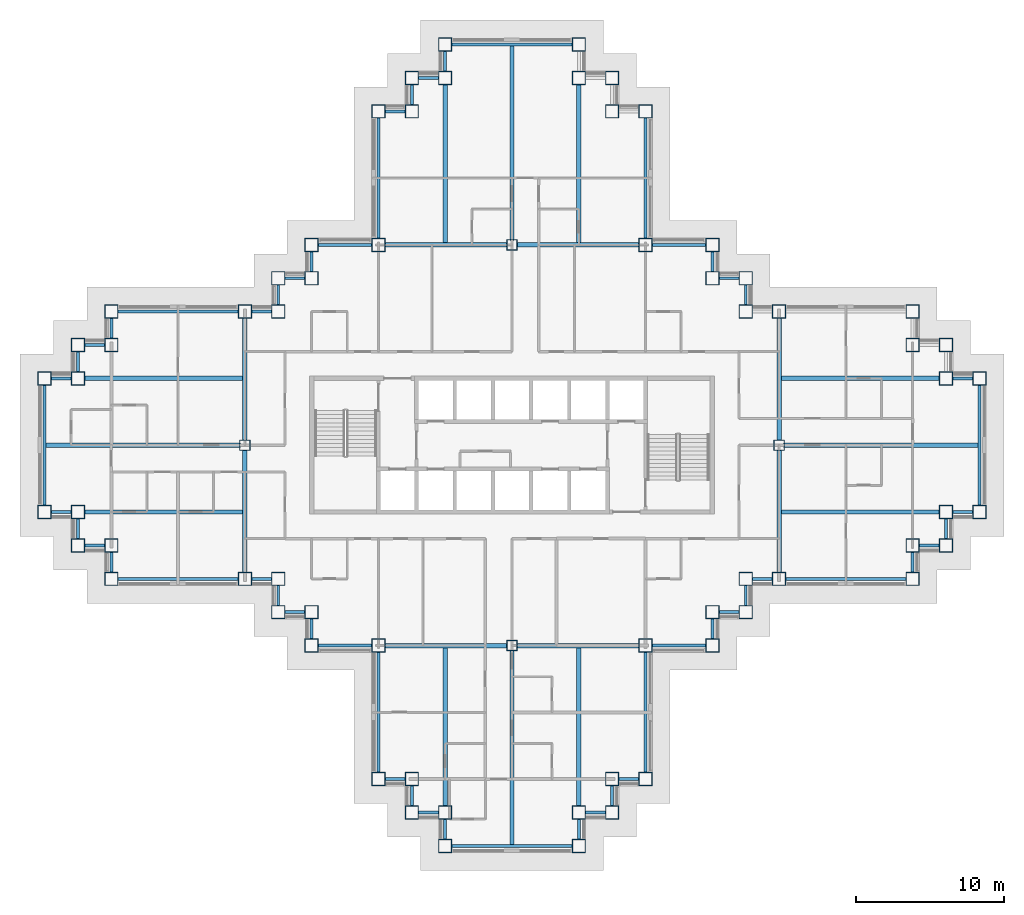
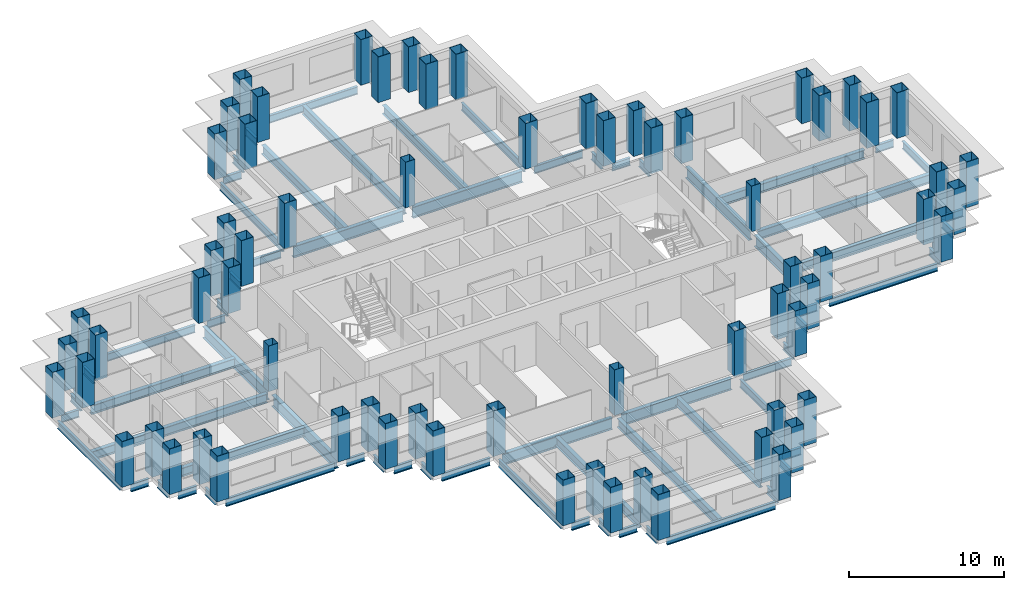
# One storey, part 1 of 15: 75 beams, 68 columns.
"""IFC4 building model written with IfcOpenShell, lengths in metres."""

from ifc_helpers import new_model, si_unit, direction, frame, origin, origin_2d, place, context, subcontext, project, spatial, hollow_rectangle, i_section, extrude, material, material_profile, profile_set, type_object, element, save


model = new_model("IFC4")

# Units and contexts
model_context = context("Model", 3, precision=1e-05, world=origin(), true_north=direction((0.0, 1.0)))
body_context = subcontext(model_context, "Body", "Model", "MODEL_VIEW")
ifc_project = project(units=[si_unit("LENGTHUNIT", "METRE"), si_unit("AREAUNIT", "SQUARE_METRE"), si_unit("VOLUMEUNIT", "CUBIC_METRE"), si_unit("PLANEANGLEUNIT", "RADIAN"), si_unit("MASSUNIT", "GRAM", prefix="KILO")], contexts=[model_context])

# Site, building, storey
site_placement = place(None, origin())
site = spatial("IfcSite", under=ifc_project, at=site_placement, CompositionType="ELEMENT")
building_placement = place(site_placement, origin())
building = spatial("IfcBuilding", under=site, at=building_placement, Name="Caravel Reach Hotel and Residences", CompositionType="ELEMENT")
storey_placement = place(building_placement, frame((0.0, 0.0, 108.0)))
storey = spatial("IfcBuildingStorey", under=building, at=storey_placement, Name="L26", CompositionType="ELEMENT", Elevation=108.0)

# Columns
ifc_material_1 = material(Name="Concrete-filled steel tube Q390B with Concrete C70 infill", Category="concrete")
ifc_material_profile_1 = material_profile(ifc_material_1, hollow_rectangle(XDim=0.699951171875, YDim=0.699951171875, WallThickness=0.02197265625, at=origin_2d()), Name="RHS 700x700x22")
ifc_profile_set_1 = profile_set([ifc_material_profile_1], Name="Concrete-filled steel tube Q390B with Concrete C70 infill")
column_type_1 = type_object("IfcColumnType", Name="CFT 700x700 Q390B C70", PredefinedType="COLUMN", material=ifc_profile_set_1)
for number, where, z_axis, x_axis, name in (
    (1, (31.5, 40.5, 0.0), (0.0, 0.0, 1.0), (1.0, 0.0, 0.0), "C6 column"),
    (2, (31.5, 13.5, 0.0), (0.0, 0.0, 1.0), (1.0, 0.0, 0.0), "C6 column"),
    (3, (13.5, 27.0, 0.0), (0.0, 0.0, 1.0), (1.0, 0.0, 0.0), "C6 column"),
    (4, (49.5, 27.0, 0.0), (0.0, 0.0, 1.0), (1.0, 0.0, 0.0), "C6 column"),
):
    element("IfcColumn", number, at=place(storey_placement, frame(where, z_axis=z_axis, x_axis=x_axis)), inside=storey, type_object=column_type_1, Name=name, PredefinedType="COLUMN", context=body_context, shape_type="SweptSolid", body=[
        extrude(hollow_rectangle(XDim=0.699951171875, YDim=0.699951171875, WallThickness=0.02197265625, at=origin_2d()), origin(), (0.0, 0.0, 1.0), 3.60009765625),
    ])
ifc_material_2 = material(Name="Concrete-filled steel tube Q390B with Concrete C70 infill", Category="concrete")
ifc_material_profile_2 = material_profile(ifc_material_2, hollow_rectangle(XDim=0.89990234375, YDim=0.89990234375, WallThickness=0.028076171875, at=origin_2d()), Name="RHS 900x900x28")
ifc_profile_set_2 = profile_set([ifc_material_profile_2], Name="Concrete-filled steel tube Q390B with Concrete C70 infill")
column_type_2 = type_object("IfcColumnType", Name="CFT 900x900 Q390B C70", PredefinedType="COLUMN", material=ifc_profile_set_2)
for number, where, z_axis, x_axis, name in (
    (5, (22.5, 4.5, 0.0), (0.0, 0.0, 1.0), (1.0, 0.0, 0.0), "C3 column"),
    (6, (24.75, 4.5, 0.0), (0.0, 0.0, 1.0), (1.0, 0.0, 0.0), "C3 column"),
    (7, (24.75, 2.25, 0.0), (0.0, 0.0, 1.0), (1.0, 0.0, 0.0), "C3 column"),
    (8, (27.0, 2.25, 0.0), (0.0, 0.0, 1.0), (1.0, 0.0, 0.0), "C3 column"),
    (9, (27.0, 0.0, 0.0), (0.0, 0.0, 1.0), (1.0, 0.0, 0.0), "C3 column"),
    (10, (36.0, 0.0, 0.0), (0.0, 0.0, 1.0), (1.0, 0.0, 0.0), "C3 column"),
    (11, (36.0, 2.25, 0.0), (0.0, 0.0, 1.0), (1.0, 0.0, 0.0), "C3 column"),
    (12, (38.25, 2.25, 0.0), (0.0, 0.0, 1.0), (1.0, 0.0, 0.0), "C3 column"),
    (13, (38.25, 4.5, 0.0), (0.0, 0.0, 1.0), (1.0, 0.0, 0.0), "C3 column"),
    (14, (40.5, 4.5, 0.0), (0.0, 0.0, 1.0), (1.0, 0.0, 0.0), "C3 column"),
    (15, (40.5, 13.5, 0.0), (0.0, 0.0, 1.0), (1.0, 0.0, 0.0), "C3 column"),
    (16, (45.0, 13.5, 0.0), (0.0, 0.0, 1.0), (1.0, 0.0, 0.0), "C3 column"),
    (17, (45.0, 15.75, 0.0), (0.0, 0.0, 1.0), (1.0, 0.0, 0.0), "C3 column"),
    (18, (47.25, 15.75, 0.0), (0.0, 0.0, 1.0), (1.0, 0.0, 0.0), "C3 column"),
    (19, (47.25, 18.0, 0.0), (0.0, 0.0, 1.0), (1.0, 0.0, 0.0), "C3 column"),
    (20, (49.5, 18.0, 0.0), (0.0, 0.0, 1.0), (1.0, 0.0, 0.0), "C3 column"),
    (21, (58.5, 18.0, 0.0), (0.0, 0.0, 1.0), (1.0, 0.0, 0.0), "C3 column"),
    (22, (58.5, 20.25, 0.0), (0.0, 0.0, 1.0), (1.0, 0.0, 0.0), "C3 column"),
    (23, (60.75, 20.25, 0.0), (0.0, 0.0, 1.0), (1.0, 0.0, 0.0), "C3 column"),
    (24, (60.75, 22.5, 0.0), (0.0, 0.0, 1.0), (1.0, 0.0, 0.0), "C3 column"),
    (25, (63.0, 22.5, 0.0), (0.0, 0.0, 1.0), (1.0, 0.0, 0.0), "C3 column"),
    (26, (63.0, 31.5, 0.0), (0.0, 0.0, 1.0), (1.0, 0.0, 0.0), "C3 column"),
    (27, (60.75, 31.5, 0.0), (0.0, 0.0, 1.0), (1.0, 0.0, 0.0), "C3 column"),
    (28, (60.75, 33.75, 0.0), (0.0, 0.0, 1.0), (1.0, 0.0, 0.0), "C3 column"),
    (29, (58.5, 33.75, 0.0), (0.0, 0.0, 1.0), (1.0, 0.0, 0.0), "C3 column"),
    (30, (58.5, 36.0, 0.0), (0.0, 0.0, 1.0), (1.0, 0.0, 0.0), "C3 column"),
    (31, (49.5, 36.0, 0.0), (0.0, 0.0, 1.0), (1.0, 0.0, 0.0), "C3 column"),
    (32, (47.25, 36.0, 0.0), (0.0, 0.0, 1.0), (1.0, 0.0, 0.0), "C3 column"),
    (33, (47.25, 38.25, 0.0), (0.0, 0.0, 1.0), (1.0, 0.0, 0.0), "C3 column"),
    (34, (45.0, 38.25, 0.0), (0.0, 0.0, 1.0), (1.0, 0.0, 0.0), "C3 column"),
    (35, (45.0, 40.5, 0.0), (0.0, 0.0, 1.0), (1.0, 0.0, 0.0), "C3 column"),
    (36, (40.5, 40.5, 0.0), (0.0, 0.0, 1.0), (1.0, 0.0, 0.0), "C3 column"),
    (37, (40.5, 49.5, 0.0), (0.0, 0.0, 1.0), (1.0, 0.0, 0.0), "C3 column"),
    (38, (38.25, 49.5, 0.0), (0.0, 0.0, 1.0), (1.0, 0.0, 0.0), "C3 column"),
    (39, (38.25, 51.75, 0.0), (0.0, 0.0, 1.0), (1.0, 0.0, 0.0), "C3 column"),
    (40, (36.0, 51.75, 0.0), (0.0, 0.0, 1.0), (1.0, 0.0, 0.0), "C3 column"),
    (41, (36.0, 54.0, 0.0), (0.0, 0.0, 1.0), (1.0, 0.0, 0.0), "C3 column"),
    (42, (27.0, 54.0, 0.0), (0.0, 0.0, 1.0), (1.0, 0.0, 0.0), "C3 column"),
    (43, (27.0, 51.75, 0.0), (0.0, 0.0, 1.0), (1.0, 0.0, 0.0), "C3 column"),
    (44, (24.75, 51.75, 0.0), (0.0, 0.0, 1.0), (1.0, 0.0, 0.0), "C3 column"),
    (45, (24.75, 49.5, 0.0), (0.0, 0.0, 1.0), (1.0, 0.0, 0.0), "C3 column"),
    (46, (22.5, 49.5, 0.0), (0.0, 0.0, 1.0), (1.0, 0.0, 0.0), "C3 column"),
    (47, (22.5, 40.5, 0.0), (0.0, 0.0, 1.0), (1.0, 0.0, 0.0), "C3 column"),
    (48, (18.0, 40.5, 0.0), (0.0, 0.0, 1.0), (1.0, 0.0, 0.0), "C3 column"),
    (49, (18.0, 38.25, 0.0), (0.0, 0.0, 1.0), (1.0, 0.0, 0.0), "C3 column"),
    (50, (15.75, 38.25, 0.0), (0.0, 0.0, 1.0), (1.0, 0.0, 0.0), "C3 column"),
    (51, (15.75, 36.0, 0.0), (0.0, 0.0, 1.0), (1.0, 0.0, 0.0), "C3 column"),
    (52, (13.5, 36.0, 0.0), (0.0, 0.0, 1.0), (1.0, 0.0, 0.0), "C3 column"),
    (53, (4.5, 36.0, 0.0), (0.0, 0.0, 1.0), (1.0, 0.0, 0.0), "C3 column"),
    (54, (4.5, 33.75, 0.0), (0.0, 0.0, 1.0), (1.0, 0.0, 0.0), "C3 column"),
    (55, (2.25, 33.75, 0.0), (0.0, 0.0, 1.0), (1.0, 0.0, 0.0), "C3 column"),
    (56, (2.25, 31.5, 0.0), (0.0, 0.0, 1.0), (1.0, 0.0, 0.0), "C3 column"),
    (57, (0.0, 31.5, 0.0), (0.0, 0.0, 1.0), (1.0, 0.0, 0.0), "C3 column"),
    (58, (0.0, 22.5, 0.0), (0.0, 0.0, 1.0), (1.0, 0.0, 0.0), "C3 column"),
    (59, (2.25, 22.5, 0.0), (0.0, 0.0, 1.0), (1.0, 0.0, 0.0), "C3 column"),
    (60, (2.25, 20.25, 0.0), (0.0, 0.0, 1.0), (1.0, 0.0, 0.0), "C3 column"),
    (61, (4.5, 20.25, 0.0), (0.0, 0.0, 1.0), (1.0, 0.0, 0.0), "C3 column"),
    (62, (4.5, 18.0, 0.0), (0.0, 0.0, 1.0), (1.0, 0.0, 0.0), "C3 column"),
    (63, (13.5, 18.0, 0.0), (0.0, 0.0, 1.0), (1.0, 0.0, 0.0), "C3 column"),
    (64, (15.75, 18.0, 0.0), (0.0, 0.0, 1.0), (1.0, 0.0, 0.0), "C3 column"),
    (65, (15.75, 15.75, 0.0), (0.0, 0.0, 1.0), (1.0, 0.0, 0.0), "C3 column"),
    (66, (18.0, 15.75, 0.0), (0.0, 0.0, 1.0), (1.0, 0.0, 0.0), "C3 column"),
    (67, (18.0, 13.5, 0.0), (0.0, 0.0, 1.0), (1.0, 0.0, 0.0), "C3 column"),
    (68, (22.5, 13.5, 0.0), (0.0, 0.0, 1.0), (1.0, 0.0, 0.0), "C3 column"),
):
    element("IfcColumn", number, at=place(storey_placement, frame(where, z_axis=z_axis, x_axis=x_axis)), inside=storey, type_object=column_type_2, Name=name, PredefinedType="COLUMN", context=body_context, shape_type="SweptSolid", body=[
        extrude(hollow_rectangle(XDim=0.89990234375, YDim=0.89990234375, WallThickness=0.028076171875, at=origin_2d()), origin(), (0.0, 0.0, 1.0), 3.60009765625),
    ])

# Beams
ifc_material_3 = material(Name="Structural steel Q355B", Category="steel")
ifc_material_profile_3 = material_profile(ifc_material_3, i_section(OverallWidth=0.300048828125, OverallDepth=0.699951171875, WebThickness=0.012939453125, FlangeThickness=0.02392578125, FilletRadius=0.01806640625, at=origin_2d()), Name="HN 700x300x13x24")
ifc_profile_set_3 = profile_set([ifc_material_profile_3], Name="Structural steel Q355B")
beam_type_1 = type_object("IfcBeamType", Name="Beam HN 700x300x13x24", PredefinedType="BEAM", material=ifc_profile_set_3)
beam_1_placement = place(storey_placement, frame((27.0, 40.60009765625, -0.64990234375), z_axis=(0.0, 1.0, 0.0), x_axis=(-1.0, 0.0, 0.0)))
element("IfcBeam", 69, at=beam_1_placement, inside=storey, type_object=beam_type_1, Name="B2 HN 700x300x13x24", PredefinedType="BEAM", context=body_context, shape_type="SweptSolid", body=[
    extrude(i_section(OverallWidth=0.300048828125, OverallDepth=0.699951171875, WebThickness=0.012939453125, FlangeThickness=0.02392578125, FilletRadius=0.01806640625, at=origin_2d()), origin(), (0.0, 0.0, 1.0), 10.75),
])
beam_2_placement = place(storey_placement, frame((31.5, 40.800048828125, -0.64990234375), z_axis=(0.0, 1.0, 0.0), x_axis=(-1.0, 0.0, 0.0)))
element("IfcBeam", 70, at=beam_2_placement, inside=storey, type_object=beam_type_1, Name="B2 HN 700x300x13x24", PredefinedType="BEAM", context=body_context, shape_type="SweptSolid", body=[
    extrude(i_section(OverallWidth=0.300048828125, OverallDepth=0.699951171875, WebThickness=0.012939453125, FlangeThickness=0.02392578125, FilletRadius=0.01806640625, at=origin_2d()), origin(), (0.0, 0.0, 1.0), 13.099853515625),
])
for number, where, z_axis, x_axis, name in (
    (71, (36.0, 40.60009765625, -0.64990234375), (0.0, 1.0, 0.0), (-1.0, 0.0, 0.0), "B2 HN 700x300x13x24"),
    (72, (27.0, 13.39990234375, -0.64990234375), (0.0, -1.0, 0.0), (1.0, 0.0, 0.0), "B2 HN 700x300x13x24"),
):
    element("IfcBeam", number, at=place(storey_placement, frame(where, z_axis=z_axis, x_axis=x_axis)), inside=storey, type_object=beam_type_1, Name=name, PredefinedType="BEAM", context=body_context, shape_type="SweptSolid", body=[
        extrude(i_section(OverallWidth=0.300048828125, OverallDepth=0.699951171875, WebThickness=0.012939453125, FlangeThickness=0.02392578125, FilletRadius=0.01806640625, at=origin_2d()), origin(), (0.0, 0.0, 1.0), 10.75),
    ])
beam_3_placement = place(storey_placement, frame((31.5, 13.199951171875, -0.64990234375), z_axis=(0.0, -1.0, 0.0), x_axis=(1.0, 0.0, 0.0)))
element("IfcBeam", 73, at=beam_3_placement, inside=storey, type_object=beam_type_1, Name="B2 HN 700x300x13x24", PredefinedType="BEAM", context=body_context, shape_type="SweptSolid", body=[
    extrude(i_section(OverallWidth=0.300048828125, OverallDepth=0.699951171875, WebThickness=0.012939453125, FlangeThickness=0.02392578125, FilletRadius=0.01806640625, at=origin_2d()), origin(), (0.0, 0.0, 1.0), 13.099853515625),
])
for number, where, z_axis, x_axis, name in (
    (74, (36.0, 13.39990234375, -0.64990234375), (0.0, -1.0, 0.0), (1.0, 0.0, 0.0), "B2 HN 700x300x13x24"),
    (75, (49.60009765625, 22.5, -0.64990234375), (1.0, 0.0, 0.0), (0.0, 1.0, 0.0), "B2 HN 700x300x13x24"),
):
    element("IfcBeam", number, at=place(storey_placement, frame(where, z_axis=z_axis, x_axis=x_axis)), inside=storey, type_object=beam_type_1, Name=name, PredefinedType="BEAM", context=body_context, shape_type="SweptSolid", body=[
        extrude(i_section(OverallWidth=0.300048828125, OverallDepth=0.699951171875, WebThickness=0.012939453125, FlangeThickness=0.02392578125, FilletRadius=0.01806640625, at=origin_2d()), origin(), (0.0, 0.0, 1.0), 10.75),
    ])
beam_4_placement = place(storey_placement, frame((49.800048828125, 27.0, -0.64990234375), z_axis=(1.0, 0.0, 0.0), x_axis=(0.0, 1.0, 0.0)))
element("IfcBeam", 76, at=beam_4_placement, inside=storey, type_object=beam_type_1, Name="B2 HN 700x300x13x24", PredefinedType="BEAM", context=body_context, shape_type="SweptSolid", body=[
    extrude(i_section(OverallWidth=0.300048828125, OverallDepth=0.699951171875, WebThickness=0.012939453125, FlangeThickness=0.02392578125, FilletRadius=0.01806640625, at=origin_2d()), origin(), (0.0, 0.0, 1.0), 13.099853515625),
])
for number, where, z_axis, x_axis, name in (
    (77, (49.60009765625, 31.5, -0.64990234375), (1.0, 0.0, 0.0), (0.0, 1.0, 0.0), "B2 HN 700x300x13x24"),
    (78, (13.39990234375, 22.5, -0.64990234375), (-1.0, 0.0, 0.0), (0.0, -1.0, 0.0), "B2 HN 700x300x13x24"),
):
    element("IfcBeam", number, at=place(storey_placement, frame(where, z_axis=z_axis, x_axis=x_axis)), inside=storey, type_object=beam_type_1, Name=name, PredefinedType="BEAM", context=body_context, shape_type="SweptSolid", body=[
        extrude(i_section(OverallWidth=0.300048828125, OverallDepth=0.699951171875, WebThickness=0.012939453125, FlangeThickness=0.02392578125, FilletRadius=0.01806640625, at=origin_2d()), origin(), (0.0, 0.0, 1.0), 10.75),
    ])
beam_5_placement = place(storey_placement, frame((13.199951171875, 27.0, -0.64990234375), z_axis=(-1.0, 0.0, 0.0), x_axis=(0.0, -1.0, 0.0)))
element("IfcBeam", 79, at=beam_5_placement, inside=storey, type_object=beam_type_1, Name="B2 HN 700x300x13x24", PredefinedType="BEAM", context=body_context, shape_type="SweptSolid", body=[
    extrude(i_section(OverallWidth=0.300048828125, OverallDepth=0.699951171875, WebThickness=0.012939453125, FlangeThickness=0.02392578125, FilletRadius=0.01806640625, at=origin_2d()), origin(), (0.0, 0.0, 1.0), 13.099853515625),
])
beam_6_placement = place(storey_placement, frame((13.39990234375, 31.5, -0.64990234375), z_axis=(-1.0, 0.0, 0.0), x_axis=(0.0, -1.0, 0.0)))
element("IfcBeam", 80, at=beam_6_placement, inside=storey, type_object=beam_type_1, Name="B2 HN 700x300x13x24", PredefinedType="BEAM", context=body_context, shape_type="SweptSolid", body=[
    extrude(i_section(OverallWidth=0.300048828125, OverallDepth=0.699951171875, WebThickness=0.012939453125, FlangeThickness=0.02392578125, FilletRadius=0.01806640625, at=origin_2d()), origin(), (0.0, 0.0, 1.0), 10.75),
])
ifc_material_4 = material(Name="Structural steel Q355B", Category="steel")
ifc_material_profile_4 = material_profile(ifc_material_4, i_section(OverallWidth=0.300048828125, OverallDepth=0.89990234375, WebThickness=0.01611328125, FlangeThickness=0.028076171875, FilletRadius=0.01806640625, at=origin_2d()), Name="HN 900x300x16x28")
ifc_profile_set_4 = profile_set([ifc_material_profile_4], Name="Structural steel Q355B")
beam_type_2 = type_object("IfcBeamType", Name="Beam HN 900x300x16x28", PredefinedType="BEAM", material=ifc_profile_set_4)
for number, where, z_axis, x_axis, name in (
    (81, (22.949951171875, 40.5, -0.75), (1.0, 0.0, 0.0), (0.0, 1.0, 0.0), "B3 HN 900x300x16x28"),
    (82, (31.85009765625, 40.5, -0.75), (1.0, 0.0, 0.0), (0.0, 1.0, 0.0), "B3 HN 900x300x16x28"),
    (83, (22.949951171875, 13.5, -0.75), (1.0, 0.0, 0.0), (0.0, 1.0, 0.0), "B3 HN 900x300x16x28"),
    (84, (31.85009765625, 13.5, -0.75), (1.0, 0.0, 0.0), (0.0, 1.0, 0.0), "B3 HN 900x300x16x28"),
    (85, (13.5, 18.449951171875, -0.75), (0.0, 1.0, 0.0), (-1.0, 0.0, 0.0), "B3 HN 900x300x16x28"),
    (86, (13.5, 27.35009765625, -0.75), (0.0, 1.0, 0.0), (-1.0, 0.0, 0.0), "B3 HN 900x300x16x28"),
    (87, (49.5, 18.449951171875, -0.75), (0.0, 1.0, 0.0), (-1.0, 0.0, 0.0), "B3 HN 900x300x16x28"),
    (88, (49.5, 27.35009765625, -0.75), (0.0, 1.0, 0.0), (-1.0, 0.0, 0.0), "B3 HN 900x300x16x28"),
):
    element("IfcBeam", number, at=place(storey_placement, frame(where, z_axis=z_axis, x_axis=x_axis)), inside=storey, type_object=beam_type_2, Name=name, PredefinedType="BEAM", context=body_context, shape_type="SweptSolid", body=[
        extrude(i_section(OverallWidth=0.300048828125, OverallDepth=0.89990234375, WebThickness=0.01611328125, FlangeThickness=0.028076171875, FilletRadius=0.01806640625, at=origin_2d()), origin(), (0.0, 0.0, 1.0), 8.199951171875),
    ])
ifc_material_5 = material(Name="Structural steel Q355B", Category="steel")
ifc_material_profile_5 = material_profile(ifc_material_5, i_section(OverallWidth=0.199951171875, OverallDepth=0.60009765625, WebThickness=0.010986328125, FlangeThickness=0.01708984375, FilletRadius=0.012939453125, at=origin_2d()), Name="HN 600x200x11x17")
ifc_profile_set_5 = profile_set([ifc_material_profile_5], Name="Structural steel Q355B")
beam_type_3 = type_object("IfcBeamType", Name="Spandrel beam HN 600x200x11x17", PredefinedType="SPANDREL", material=ifc_profile_set_5)
for number, where, z_axis, x_axis, name in (
    (89, (22.949951171875, 4.5, -0.60009765625), (1.0, 0.0, 0.0), (0.0, 1.0, 0.0), "SP1 HN 600x200x11x17"),
    (90, (24.75, 4.050048828125, -0.60009765625), (0.0, -1.0, 0.0), (1.0, 0.0, 0.0), "SP1 HN 600x200x11x17"),
    (91, (25.199951171875, 2.25, -0.60009765625), (1.0, 0.0, 0.0), (0.0, 1.0, 0.0), "SP1 HN 600x200x11x17"),
    (92, (27.0, 1.800048828125, -0.60009765625), (0.0, -1.0, 0.0), (1.0, 0.0, 0.0), "SP1 HN 600x200x11x17"),
):
    element("IfcBeam", number, at=place(storey_placement, frame(where, z_axis=z_axis, x_axis=x_axis)), inside=storey, type_object=beam_type_3, Name=name, PredefinedType="SPANDREL", context=body_context, shape_type="SweptSolid", body=[
        extrude(i_section(OverallWidth=0.199951171875, OverallDepth=0.60009765625, WebThickness=0.010986328125, FlangeThickness=0.01708984375, FilletRadius=0.012939453125, at=origin_2d()), origin(), (0.0, 0.0, 1.0), 1.35009765625),
    ])
beam_7_placement = place(storey_placement, frame((27.449951171875, 0.0, -0.60009765625), z_axis=(1.0, 0.0, 0.0), x_axis=(0.0, 1.0, 0.0)))
element("IfcBeam", 93, at=beam_7_placement, inside=storey, type_object=beam_type_3, Name="SP1 HN 600x200x11x17", PredefinedType="SPANDREL", context=body_context, shape_type="SweptSolid", body=[
    extrude(i_section(OverallWidth=0.199951171875, OverallDepth=0.60009765625, WebThickness=0.010986328125, FlangeThickness=0.01708984375, FilletRadius=0.012939453125, at=origin_2d()), origin(), (0.0, 0.0, 1.0), 8.10009765625),
])
for number, where, z_axis, x_axis, name in (
    (94, (36.0, 0.449951171875, -0.60009765625), (0.0, 1.0, 0.0), (-1.0, 0.0, 0.0), "SP1 HN 600x200x11x17"),
    (95, (36.449951171875, 2.25, -0.60009765625), (1.0, 0.0, 0.0), (0.0, 1.0, 0.0), "SP1 HN 600x200x11x17"),
    (96, (38.25, 2.699951171875, -0.60009765625), (0.0, 1.0, 0.0), (-1.0, 0.0, 0.0), "SP1 HN 600x200x11x17"),
    (97, (38.699951171875, 4.5, -0.60009765625), (1.0, 0.0, 0.0), (0.0, 1.0, 0.0), "SP1 HN 600x200x11x17"),
):
    element("IfcBeam", number, at=place(storey_placement, frame(where, z_axis=z_axis, x_axis=x_axis)), inside=storey, type_object=beam_type_3, Name=name, PredefinedType="SPANDREL", context=body_context, shape_type="SweptSolid", body=[
        extrude(i_section(OverallWidth=0.199951171875, OverallDepth=0.60009765625, WebThickness=0.010986328125, FlangeThickness=0.01708984375, FilletRadius=0.012939453125, at=origin_2d()), origin(), (0.0, 0.0, 1.0), 1.35009765625),
    ])
beam_8_placement = place(storey_placement, frame((40.5, 4.949951171875, -0.60009765625), z_axis=(0.0, 1.0, 0.0), x_axis=(-1.0, 0.0, 0.0)))
element("IfcBeam", 98, at=beam_8_placement, inside=storey, type_object=beam_type_3, Name="SP1 HN 600x200x11x17", PredefinedType="SPANDREL", context=body_context, shape_type="SweptSolid", body=[
    extrude(i_section(OverallWidth=0.199951171875, OverallDepth=0.60009765625, WebThickness=0.010986328125, FlangeThickness=0.01708984375, FilletRadius=0.012939453125, at=origin_2d()), origin(), (0.0, 0.0, 1.0), 8.10009765625),
])
beam_9_placement = place(storey_placement, frame((40.949951171875, 13.5, -0.60009765625), z_axis=(1.0, 0.0, 0.0), x_axis=(0.0, 1.0, 0.0)))
element("IfcBeam", 99, at=beam_9_placement, inside=storey, type_object=beam_type_3, Name="SP1 HN 600x200x11x17", PredefinedType="SPANDREL", context=body_context, shape_type="SweptSolid", body=[
    extrude(i_section(OverallWidth=0.199951171875, OverallDepth=0.60009765625, WebThickness=0.010986328125, FlangeThickness=0.01708984375, FilletRadius=0.012939453125, at=origin_2d()), origin(), (0.0, 0.0, 1.0), 3.60009765625),
])
for number, where, z_axis, x_axis, name in (
    (100, (45.0, 13.949951171875, -0.60009765625), (0.0, 1.0, 0.0), (-1.0, 0.0, 0.0), "SP1 HN 600x200x11x17"),
    (101, (45.449951171875, 15.75, -0.60009765625), (1.0, 0.0, 0.0), (0.0, 1.0, 0.0), "SP1 HN 600x200x11x17"),
    (102, (47.25, 16.199951171875, -0.60009765625), (0.0, 1.0, 0.0), (-1.0, 0.0, 0.0), "SP1 HN 600x200x11x17"),
    (103, (47.699951171875, 18.0, -0.60009765625), (1.0, 0.0, 0.0), (0.0, 1.0, 0.0), "SP1 HN 600x200x11x17"),
):
    element("IfcBeam", number, at=place(storey_placement, frame(where, z_axis=z_axis, x_axis=x_axis)), inside=storey, type_object=beam_type_3, Name=name, PredefinedType="SPANDREL", context=body_context, shape_type="SweptSolid", body=[
        extrude(i_section(OverallWidth=0.199951171875, OverallDepth=0.60009765625, WebThickness=0.010986328125, FlangeThickness=0.01708984375, FilletRadius=0.012939453125, at=origin_2d()), origin(), (0.0, 0.0, 1.0), 1.35009765625),
    ])
beam_10_placement = place(storey_placement, frame((49.949951171875, 18.0, -0.60009765625), z_axis=(1.0, 0.0, 0.0), x_axis=(0.0, 1.0, 0.0)))
element("IfcBeam", 104, at=beam_10_placement, inside=storey, type_object=beam_type_3, Name="SP1 HN 600x200x11x17", PredefinedType="SPANDREL", context=body_context, shape_type="SweptSolid", body=[
    extrude(i_section(OverallWidth=0.199951171875, OverallDepth=0.60009765625, WebThickness=0.010986328125, FlangeThickness=0.01708984375, FilletRadius=0.012939453125, at=origin_2d()), origin(), (0.0, 0.0, 1.0), 8.10009765625),
])
for number, where, z_axis, x_axis, name in (
    (105, (58.5, 18.449951171875, -0.60009765625), (0.0, 1.0, 0.0), (-1.0, 0.0, 0.0), "SP1 HN 600x200x11x17"),
    (106, (58.949951171875, 20.25, -0.60009765625), (1.0, 0.0, 0.0), (0.0, 1.0, 0.0), "SP1 HN 600x200x11x17"),
    (107, (60.75, 20.699951171875, -0.60009765625), (0.0, 1.0, 0.0), (-1.0, 0.0, 0.0), "SP1 HN 600x200x11x17"),
    (108, (61.199951171875, 22.5, -0.60009765625), (1.0, 0.0, 0.0), (0.0, 1.0, 0.0), "SP1 HN 600x200x11x17"),
):
    element("IfcBeam", number, at=place(storey_placement, frame(where, z_axis=z_axis, x_axis=x_axis)), inside=storey, type_object=beam_type_3, Name=name, PredefinedType="SPANDREL", context=body_context, shape_type="SweptSolid", body=[
        extrude(i_section(OverallWidth=0.199951171875, OverallDepth=0.60009765625, WebThickness=0.010986328125, FlangeThickness=0.01708984375, FilletRadius=0.012939453125, at=origin_2d()), origin(), (0.0, 0.0, 1.0), 1.35009765625),
    ])
beam_11_placement = place(storey_placement, frame((63.0, 22.949951171875, -0.60009765625), z_axis=(0.0, 1.0, 0.0), x_axis=(-1.0, 0.0, 0.0)))
element("IfcBeam", 109, at=beam_11_placement, inside=storey, type_object=beam_type_3, Name="SP1 HN 600x200x11x17", PredefinedType="SPANDREL", context=body_context, shape_type="SweptSolid", body=[
    extrude(i_section(OverallWidth=0.199951171875, OverallDepth=0.60009765625, WebThickness=0.010986328125, FlangeThickness=0.01708984375, FilletRadius=0.012939453125, at=origin_2d()), origin(), (0.0, 0.0, 1.0), 8.10009765625),
])
for number, where, z_axis, x_axis, name in (
    (110, (62.550048828125, 31.5, -0.60009765625), (-1.0, 0.0, 0.0), (0.0, -1.0, 0.0), "SP1 HN 600x200x11x17"),
    (111, (47.25, 36.449951171875, -0.60009765625), (0.0, 1.0, 0.0), (-1.0, 0.0, 0.0), "SP1 HN 600x200x11x17"),
    (112, (46.800048828125, 38.25, -0.60009765625), (-1.0, 0.0, 0.0), (0.0, -1.0, 0.0), "SP1 HN 600x200x11x17"),
    (113, (45.0, 38.699951171875, -0.60009765625), (0.0, 1.0, 0.0), (-1.0, 0.0, 0.0), "SP1 HN 600x200x11x17"),
):
    element("IfcBeam", number, at=place(storey_placement, frame(where, z_axis=z_axis, x_axis=x_axis)), inside=storey, type_object=beam_type_3, Name=name, PredefinedType="SPANDREL", context=body_context, shape_type="SweptSolid", body=[
        extrude(i_section(OverallWidth=0.199951171875, OverallDepth=0.60009765625, WebThickness=0.010986328125, FlangeThickness=0.01708984375, FilletRadius=0.012939453125, at=origin_2d()), origin(), (0.0, 0.0, 1.0), 1.35009765625),
    ])
beam_12_placement = place(storey_placement, frame((44.550048828125, 40.5, -0.60009765625), z_axis=(-1.0, 0.0, 0.0), x_axis=(0.0, -1.0, 0.0)))
element("IfcBeam", 114, at=beam_12_placement, inside=storey, type_object=beam_type_3, Name="SP1 HN 600x200x11x17", PredefinedType="SPANDREL", context=body_context, shape_type="SweptSolid", body=[
    extrude(i_section(OverallWidth=0.199951171875, OverallDepth=0.60009765625, WebThickness=0.010986328125, FlangeThickness=0.01708984375, FilletRadius=0.012939453125, at=origin_2d()), origin(), (0.0, 0.0, 1.0), 3.60009765625),
])
for number, where, z_axis, x_axis, name in (
    (115, (40.5, 40.949951171875, -0.60009765625), (0.0, 1.0, 0.0), (-1.0, 0.0, 0.0), "SP1 HN 600x200x11x17"),
    (116, (35.550048828125, 54.0, -0.60009765625), (-1.0, 0.0, 0.0), (0.0, -1.0, 0.0), "SP1 HN 600x200x11x17"),
):
    element("IfcBeam", number, at=place(storey_placement, frame(where, z_axis=z_axis, x_axis=x_axis)), inside=storey, type_object=beam_type_3, Name=name, PredefinedType="SPANDREL", context=body_context, shape_type="SweptSolid", body=[
        extrude(i_section(OverallWidth=0.199951171875, OverallDepth=0.60009765625, WebThickness=0.010986328125, FlangeThickness=0.01708984375, FilletRadius=0.012939453125, at=origin_2d()), origin(), (0.0, 0.0, 1.0), 8.10009765625),
    ])
for number, where, z_axis, x_axis, name in (
    (117, (27.0, 53.550048828125, -0.60009765625), (0.0, -1.0, 0.0), (1.0, 0.0, 0.0), "SP1 HN 600x200x11x17"),
    (118, (26.550048828125, 51.75, -0.60009765625), (-1.0, 0.0, 0.0), (0.0, -1.0, 0.0), "SP1 HN 600x200x11x17"),
    (119, (24.75, 51.300048828125, -0.60009765625), (0.0, -1.0, 0.0), (1.0, 0.0, 0.0), "SP1 HN 600x200x11x17"),
    (120, (24.300048828125, 49.5, -0.60009765625), (-1.0, 0.0, 0.0), (0.0, -1.0, 0.0), "SP1 HN 600x200x11x17"),
):
    element("IfcBeam", number, at=place(storey_placement, frame(where, z_axis=z_axis, x_axis=x_axis)), inside=storey, type_object=beam_type_3, Name=name, PredefinedType="SPANDREL", context=body_context, shape_type="SweptSolid", body=[
        extrude(i_section(OverallWidth=0.199951171875, OverallDepth=0.60009765625, WebThickness=0.010986328125, FlangeThickness=0.01708984375, FilletRadius=0.012939453125, at=origin_2d()), origin(), (0.0, 0.0, 1.0), 1.35009765625),
    ])
beam_13_placement = place(storey_placement, frame((22.5, 49.050048828125, -0.60009765625), z_axis=(0.0, -1.0, 0.0), x_axis=(1.0, 0.0, 0.0)))
element("IfcBeam", 121, at=beam_13_placement, inside=storey, type_object=beam_type_3, Name="SP1 HN 600x200x11x17", PredefinedType="SPANDREL", context=body_context, shape_type="SweptSolid", body=[
    extrude(i_section(OverallWidth=0.199951171875, OverallDepth=0.60009765625, WebThickness=0.010986328125, FlangeThickness=0.01708984375, FilletRadius=0.012939453125, at=origin_2d()), origin(), (0.0, 0.0, 1.0), 8.10009765625),
])
beam_14_placement = place(storey_placement, frame((22.050048828125, 40.5, -0.60009765625), z_axis=(-1.0, 0.0, 0.0), x_axis=(0.0, -1.0, 0.0)))
element("IfcBeam", 122, at=beam_14_placement, inside=storey, type_object=beam_type_3, Name="SP1 HN 600x200x11x17", PredefinedType="SPANDREL", context=body_context, shape_type="SweptSolid", body=[
    extrude(i_section(OverallWidth=0.199951171875, OverallDepth=0.60009765625, WebThickness=0.010986328125, FlangeThickness=0.01708984375, FilletRadius=0.012939453125, at=origin_2d()), origin(), (0.0, 0.0, 1.0), 3.60009765625),
])
for number, where, z_axis, x_axis, name in (
    (123, (18.0, 40.050048828125, -0.60009765625), (0.0, -1.0, 0.0), (1.0, 0.0, 0.0), "SP1 HN 600x200x11x17"),
    (124, (17.550048828125, 38.25, -0.60009765625), (-1.0, 0.0, 0.0), (0.0, -1.0, 0.0), "SP1 HN 600x200x11x17"),
    (125, (15.75, 37.800048828125, -0.60009765625), (0.0, -1.0, 0.0), (1.0, 0.0, 0.0), "SP1 HN 600x200x11x17"),
    (126, (15.300048828125, 36.0, -0.60009765625), (-1.0, 0.0, 0.0), (0.0, -1.0, 0.0), "SP1 HN 600x200x11x17"),
):
    element("IfcBeam", number, at=place(storey_placement, frame(where, z_axis=z_axis, x_axis=x_axis)), inside=storey, type_object=beam_type_3, Name=name, PredefinedType="SPANDREL", context=body_context, shape_type="SweptSolid", body=[
        extrude(i_section(OverallWidth=0.199951171875, OverallDepth=0.60009765625, WebThickness=0.010986328125, FlangeThickness=0.01708984375, FilletRadius=0.012939453125, at=origin_2d()), origin(), (0.0, 0.0, 1.0), 1.35009765625),
    ])
beam_15_placement = place(storey_placement, frame((13.050048828125, 36.0, -0.60009765625), z_axis=(-1.0, 0.0, 0.0), x_axis=(0.0, -1.0, 0.0)))
element("IfcBeam", 127, at=beam_15_placement, inside=storey, type_object=beam_type_3, Name="SP1 HN 600x200x11x17", PredefinedType="SPANDREL", context=body_context, shape_type="SweptSolid", body=[
    extrude(i_section(OverallWidth=0.199951171875, OverallDepth=0.60009765625, WebThickness=0.010986328125, FlangeThickness=0.01708984375, FilletRadius=0.012939453125, at=origin_2d()), origin(), (0.0, 0.0, 1.0), 8.10009765625),
])
for number, where, z_axis, x_axis, name in (
    (128, (4.5, 35.550048828125, -0.60009765625), (0.0, -1.0, 0.0), (1.0, 0.0, 0.0), "SP1 HN 600x200x11x17"),
    (129, (4.050048828125, 33.75, -0.60009765625), (-1.0, 0.0, 0.0), (0.0, -1.0, 0.0), "SP1 HN 600x200x11x17"),
    (130, (2.25, 33.300048828125, -0.60009765625), (0.0, -1.0, 0.0), (1.0, 0.0, 0.0), "SP1 HN 600x200x11x17"),
    (131, (1.800048828125, 31.5, -0.60009765625), (-1.0, 0.0, 0.0), (0.0, -1.0, 0.0), "SP1 HN 600x200x11x17"),
):
    element("IfcBeam", number, at=place(storey_placement, frame(where, z_axis=z_axis, x_axis=x_axis)), inside=storey, type_object=beam_type_3, Name=name, PredefinedType="SPANDREL", context=body_context, shape_type="SweptSolid", body=[
        extrude(i_section(OverallWidth=0.199951171875, OverallDepth=0.60009765625, WebThickness=0.010986328125, FlangeThickness=0.01708984375, FilletRadius=0.012939453125, at=origin_2d()), origin(), (0.0, 0.0, 1.0), 1.35009765625),
    ])
beam_16_placement = place(storey_placement, frame((0.0, 31.050048828125, -0.60009765625), z_axis=(0.0, -1.0, 0.0), x_axis=(1.0, 0.0, 0.0)))
element("IfcBeam", 132, at=beam_16_placement, inside=storey, type_object=beam_type_3, Name="SP1 HN 600x200x11x17", PredefinedType="SPANDREL", context=body_context, shape_type="SweptSolid", body=[
    extrude(i_section(OverallWidth=0.199951171875, OverallDepth=0.60009765625, WebThickness=0.010986328125, FlangeThickness=0.01708984375, FilletRadius=0.012939453125, at=origin_2d()), origin(), (0.0, 0.0, 1.0), 8.10009765625),
])
for number, where, z_axis, x_axis, name in (
    (133, (0.449951171875, 22.5, -0.60009765625), (1.0, 0.0, 0.0), (0.0, 1.0, 0.0), "SP1 HN 600x200x11x17"),
    (134, (2.25, 22.050048828125, -0.60009765625), (0.0, -1.0, 0.0), (1.0, 0.0, 0.0), "SP1 HN 600x200x11x17"),
    (135, (2.699951171875, 20.25, -0.60009765625), (1.0, 0.0, 0.0), (0.0, 1.0, 0.0), "SP1 HN 600x200x11x17"),
    (136, (4.5, 19.800048828125, -0.60009765625), (0.0, -1.0, 0.0), (1.0, 0.0, 0.0), "SP1 HN 600x200x11x17"),
):
    element("IfcBeam", number, at=place(storey_placement, frame(where, z_axis=z_axis, x_axis=x_axis)), inside=storey, type_object=beam_type_3, Name=name, PredefinedType="SPANDREL", context=body_context, shape_type="SweptSolid", body=[
        extrude(i_section(OverallWidth=0.199951171875, OverallDepth=0.60009765625, WebThickness=0.010986328125, FlangeThickness=0.01708984375, FilletRadius=0.012939453125, at=origin_2d()), origin(), (0.0, 0.0, 1.0), 1.35009765625),
    ])
beam_17_placement = place(storey_placement, frame((4.949951171875, 18.0, -0.60009765625), z_axis=(1.0, 0.0, 0.0), x_axis=(0.0, 1.0, 0.0)))
element("IfcBeam", 137, at=beam_17_placement, inside=storey, type_object=beam_type_3, Name="SP1 HN 600x200x11x17", PredefinedType="SPANDREL", context=body_context, shape_type="SweptSolid", body=[
    extrude(i_section(OverallWidth=0.199951171875, OverallDepth=0.60009765625, WebThickness=0.010986328125, FlangeThickness=0.01708984375, FilletRadius=0.012939453125, at=origin_2d()), origin(), (0.0, 0.0, 1.0), 8.10009765625),
])
for number, where, z_axis, x_axis, name in (
    (138, (13.949951171875, 18.0, -0.60009765625), (1.0, 0.0, 0.0), (0.0, 1.0, 0.0), "SP1 HN 600x200x11x17"),
    (139, (15.75, 17.550048828125, -0.60009765625), (0.0, -1.0, 0.0), (1.0, 0.0, 0.0), "SP1 HN 600x200x11x17"),
    (140, (16.199951171875, 15.75, -0.60009765625), (1.0, 0.0, 0.0), (0.0, 1.0, 0.0), "SP1 HN 600x200x11x17"),
    (141, (18.0, 15.300048828125, -0.60009765625), (0.0, -1.0, 0.0), (1.0, 0.0, 0.0), "SP1 HN 600x200x11x17"),
):
    element("IfcBeam", number, at=place(storey_placement, frame(where, z_axis=z_axis, x_axis=x_axis)), inside=storey, type_object=beam_type_3, Name=name, PredefinedType="SPANDREL", context=body_context, shape_type="SweptSolid", body=[
        extrude(i_section(OverallWidth=0.199951171875, OverallDepth=0.60009765625, WebThickness=0.010986328125, FlangeThickness=0.01708984375, FilletRadius=0.012939453125, at=origin_2d()), origin(), (0.0, 0.0, 1.0), 1.35009765625),
    ])
beam_18_placement = place(storey_placement, frame((18.449951171875, 13.5, -0.60009765625), z_axis=(1.0, 0.0, 0.0), x_axis=(0.0, 1.0, 0.0)))
element("IfcBeam", 142, at=beam_18_placement, inside=storey, type_object=beam_type_3, Name="SP1 HN 600x200x11x17", PredefinedType="SPANDREL", context=body_context, shape_type="SweptSolid", body=[
    extrude(i_section(OverallWidth=0.199951171875, OverallDepth=0.60009765625, WebThickness=0.010986328125, FlangeThickness=0.01708984375, FilletRadius=0.012939453125, at=origin_2d()), origin(), (0.0, 0.0, 1.0), 3.60009765625),
])
beam_19_placement = place(storey_placement, frame((22.5, 13.050048828125, -0.60009765625), z_axis=(0.0, -1.0, 0.0), x_axis=(1.0, 0.0, 0.0)))
element("IfcBeam", 143, at=beam_19_placement, inside=storey, type_object=beam_type_3, Name="SP1 HN 600x200x11x17", PredefinedType="SPANDREL", context=body_context, shape_type="SweptSolid", body=[
    extrude(i_section(OverallWidth=0.199951171875, OverallDepth=0.60009765625, WebThickness=0.010986328125, FlangeThickness=0.01708984375, FilletRadius=0.012939453125, at=origin_2d()), origin(), (0.0, 0.0, 1.0), 8.10009765625),
])

save(model, "model.ifc")
